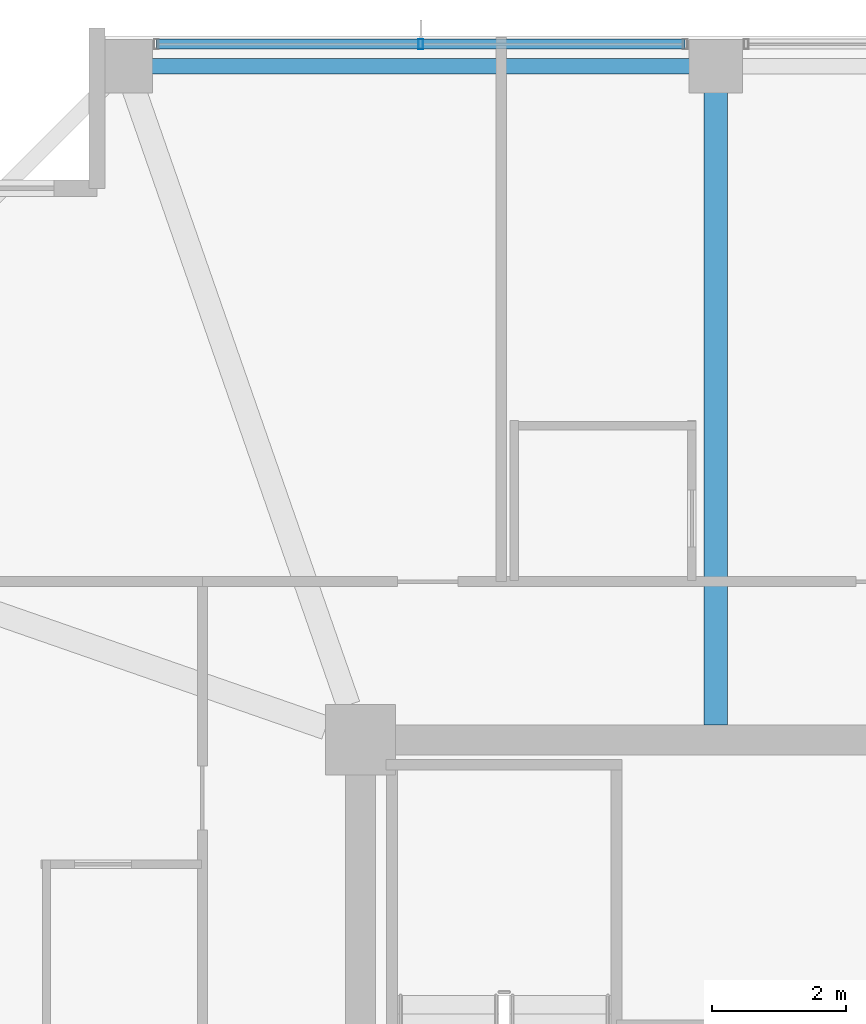
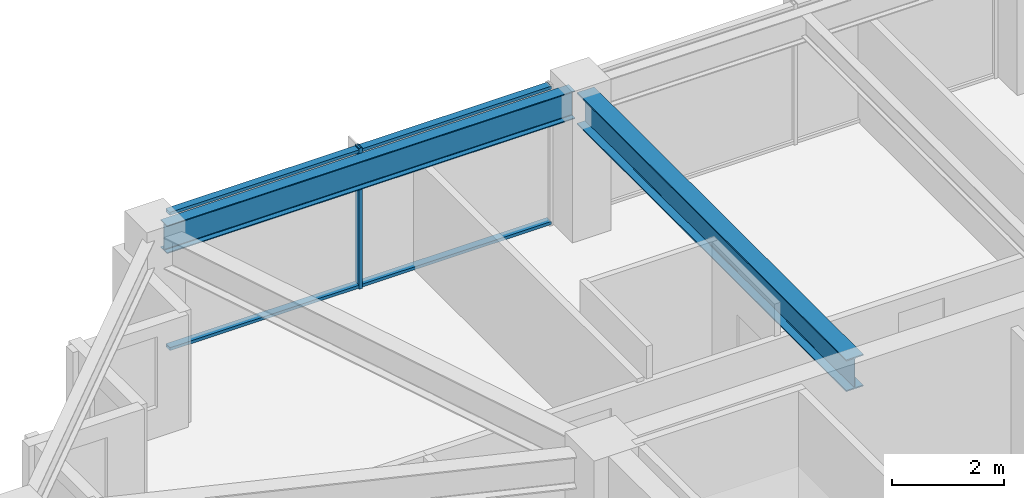
# One storey, part 17 of 34: 3 members, 2 beams, 1 element without a shape of its own.
"""IFC4 building model written with IfcOpenShell, lengths in metres."""

from ifc_helpers import new_model, si_unit, direction, frame, origin, origin_2d, place, context, subcontext, project, spatial, hollow_rectangle, i_section, extrude, material, material_profile, profile_set, type_object, element, aggregate, save


model = new_model("IFC4")

# Units and contexts
model_context = context("Model", 3, precision=1e-05, world=origin(), true_north=direction((0.0, 1.0)))
body_context = subcontext(model_context, "Body", "Model", "MODEL_VIEW")
ifc_project = project(units=[si_unit("LENGTHUNIT", "METRE"), si_unit("AREAUNIT", "SQUARE_METRE"), si_unit("VOLUMEUNIT", "CUBIC_METRE"), si_unit("PLANEANGLEUNIT", "RADIAN"), si_unit("MASSUNIT", "GRAM", prefix="KILO")], contexts=[model_context])

# Site, building, storey
site_placement = place(None, origin())
site = spatial("IfcSite", under=ifc_project, at=site_placement, CompositionType="ELEMENT")
building_placement = place(site_placement, origin())
building = spatial("IfcBuilding", under=site, at=building_placement, Name="Kolvaren Belvedere", CompositionType="ELEMENT")
storey_placement = place(building_placement, frame((0.0, 0.0, 222.89990234375)))
storey = spatial("IfcBuildingStorey", under=building, at=storey_placement, Name="L65", CompositionType="ELEMENT", Elevation=222.89990234375)

# Beams
ifc_material_1 = material(Name="Structural steel ASTM A992 Grade 50", Category="steel")
ifc_material_profile_1 = material_profile(ifc_material_1, i_section(OverallWidth=0.35498046875, OverallDepth=0.696044921875, WebThickness=0.015380859375, FlangeThickness=0.02490234375, FilletRadius=0.02197265625, at=origin_2d()), Name="W27X146")
ifc_profile_set_1 = profile_set([ifc_material_profile_1], Name="Structural steel ASTM A992 Grade 50")
beam_type_1 = type_object("IfcBeamType", Name="BM-GIRD-W27X146", PredefinedType="BEAM", material=ifc_profile_set_1)
beam_1_placement = place(storey_placement, frame((-4.60009765625, 10.125, 2.732177734375), z_axis=(0.0, 1.0, 0.0), x_axis=(-1.0, 0.0, 0.0)))
element("IfcBeam", 1, at=beam_1_placement, inside=storey, type_object=beam_type_1, Name="L65 North Radial Girder M", PredefinedType="BEAM", context=body_context, shape_type="SweptSolid", body=[
    extrude(i_section(OverallWidth=0.35498046875, OverallDepth=0.696044921875, WebThickness=0.015380859375, FlangeThickness=0.02490234375, FilletRadius=0.02197265625, at=origin_2d()), origin(), (0.0, 0.0, 1.0), 9.64501953125),
])
ifc_material_2 = material(Name="Structural steel ASTM A992 Grade 50", Category="steel")
ifc_material_profile_2 = material_profile(ifc_material_2, i_section(OverallWidth=0.22900390625, OverallDepth=0.612060546875, WebThickness=0.011962890625, FlangeThickness=0.01953125, FilletRadius=0.01806640625, at=origin_2d()), Name="W24X84")
ifc_profile_set_2 = profile_set([ifc_material_profile_2], Name="Structural steel ASTM A992 Grade 50")
beam_type_2 = type_object("IfcBeamType", Name="BM-SPAN-W24X84", PredefinedType="SPANDREL", material=ifc_profile_set_2)
beam_2_placement = place(storey_placement, frame((-4.780029296875, 19.949951171875, 2.774169921875), z_axis=(-1.0, 0.0, 0.0), x_axis=(0.0, -1.0, 0.0)))
element("IfcBeam", 2, at=beam_2_placement, inside=storey, type_object=beam_type_2, Name="L65 Perimeter Spandrel N2-N1", PredefinedType="SPANDREL", context=body_context, shape_type="SweptSolid", body=[
    extrude(i_section(OverallWidth=0.22900390625, OverallDepth=0.612060546875, WebThickness=0.011962890625, FlangeThickness=0.01953125, FilletRadius=0.01806640625, at=origin_2d()), origin(), (0.0, 0.0, 1.0), 8.43994140625),
])

# Curtain wall, members
ifc_material_3 = material(Name="Anodised pale-metal aluminium AA 6063-T6", Category="aluminium")
curtain_wall_type = type_object("IfcCurtainWallType", Name="CW-Z5-HIGH", PredefinedType="NOTDEFINED", material=ifc_material_3)
curtain_wall_placement = place(storey_placement, origin())
curtain_wall = element("IfcCurtainWall", 3, at=curtain_wall_placement, inside=storey, type_object=curtain_wall_type, Name="L65 Unitised Curtain Wall FCW-L65-N-B1", PredefinedType="NOTDEFINED")
ifc_material_4 = material(Name="Anodised pale-metal aluminium AA 6063-T6", Category="aluminium")
ifc_material_profile_3 = material_profile(ifc_material_4, hollow_rectangle(XDim=0.070068359375, YDim=0.14990234375, WallThickness=0.004150390625, at=origin_2d()), Name="ALU-MUL-150X70")
ifc_profile_set_3 = profile_set([ifc_material_profile_3], Name="Anodised pale-metal aluminium AA 6063-T6")
member_type_1 = type_object("IfcMemberType", Name="CW-MUL-150", PredefinedType="MULLION", material=ifc_profile_set_3)
member_1_placement = place(storey_placement, frame((-9.0, 20.280029296875, 0.0), z_axis=(0.0, 0.0, 1.0), x_axis=(1.0, 0.0, 0.0)))
member_1 = element("IfcMember", 4, at=member_1_placement, type_object=member_type_1, Name="FCW-L65-N-B1 Unitised Mullion 2", PredefinedType="MULLION", context=body_context, shape_type="SweptSolid", body=[
    extrude(hollow_rectangle(XDim=0.070068359375, YDim=0.14990234375, WallThickness=0.004150390625, at=origin_2d()), origin(), (0.0, 0.0, 1.0), 3.080078125),
])
ifc_material_5 = material(Name="Anodised pale-metal aluminium AA 6063-T6", Category="aluminium")
ifc_material_profile_4 = material_profile(ifc_material_5, hollow_rectangle(XDim=0.06494140625, YDim=0.14990234375, WallThickness=0.00390625, at=origin_2d()), Name="ALU-TRN-150X65")
ifc_profile_set_4 = profile_set([ifc_material_profile_4], Name="Anodised pale-metal aluminium AA 6063-T6")
member_type_2 = type_object("IfcMemberType", Name="CW-TRN-150", PredefinedType="USERDEFINED", material=ifc_profile_set_4)
member_2_placement = place(storey_placement, frame((-12.945068359375, 20.280029296875, 0.06005859375), z_axis=(1.0, 0.0, 0.0), x_axis=(0.0, 0.0, 1.0)))
member_2 = element("IfcMember", 5, at=member_2_placement, type_object=member_type_2, Name="FCW-L65-N-B1 Sill Transom", ObjectType="TRANSOM", PredefinedType="USERDEFINED", context=body_context, shape_type="SweptSolid", body=[
    extrude(hollow_rectangle(XDim=0.06494140625, YDim=0.14990234375, WallThickness=0.00390625, at=origin_2d()), origin(), (0.0, 0.0, 1.0), 7.89013671875),
])
member_3_placement = place(storey_placement, frame((-12.945068359375, 20.280029296875, 3.02001953125), z_axis=(1.0, 0.0, 0.0), x_axis=(0.0, 0.0, 1.0)))
member_3 = element("IfcMember", 6, at=member_3_placement, type_object=member_type_2, Name="FCW-L65-N-B1 Head Transom", ObjectType="TRANSOM", PredefinedType="USERDEFINED", context=body_context, shape_type="SweptSolid", body=[
    extrude(hollow_rectangle(XDim=0.06494140625, YDim=0.14990234375, WallThickness=0.00390625, at=origin_2d()), origin(), (0.0, 0.0, 1.0), 7.89013671875),
])
aggregate(curtain_wall, [member_1, member_2, member_3])

save(model, "model.ifc")
